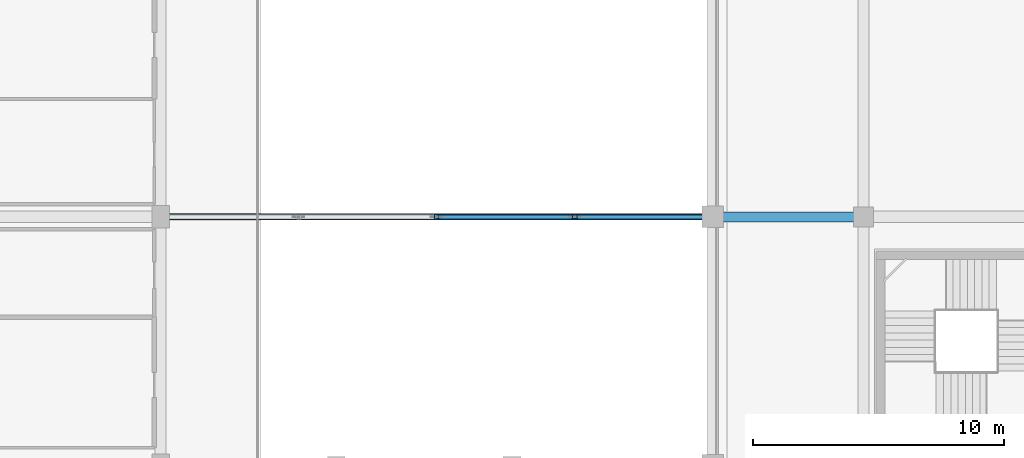
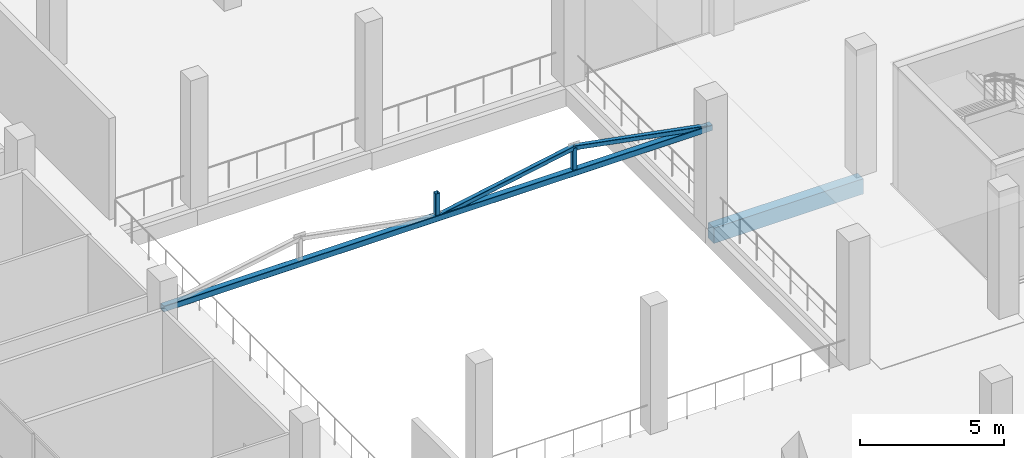
# One storey, part 8 of 74: 5 members, 1 beam.
"""IFC4 building model written with IfcOpenShell, lengths in metres."""

from ifc_helpers import new_model, si_unit, direction, frame, origin, origin_2d, place, context, subcontext, project, spatial, rectangle, hollow_rectangle, extrude, material, material_profile, profile_set, type_object, element, save


model = new_model("IFC4")

# Units and contexts
model_context = context("Model", 3, precision=1e-05, world=origin(), true_north=direction((0.0, 1.0)))
body_context = subcontext(model_context, "Body", "Model", "MODEL_VIEW")
ifc_project = project(units=[si_unit("LENGTHUNIT", "METRE"), si_unit("AREAUNIT", "SQUARE_METRE"), si_unit("VOLUMEUNIT", "CUBIC_METRE"), si_unit("PLANEANGLEUNIT", "RADIAN"), si_unit("MASSUNIT", "GRAM", prefix="KILO")], contexts=[model_context])

# Site, building, storey
site_placement = place(None, origin())
site = spatial("IfcSite", under=ifc_project, at=site_placement, CompositionType="ELEMENT")
building_placement = place(site_placement, origin())
building = spatial("IfcBuilding", under=site, at=building_placement, Name="Sillaruma Civic Art Gallery", CompositionType="ELEMENT")
storey_placement = place(building_placement, frame((0.0, 0.0, 5.43994140625)))
storey = spatial("IfcBuildingStorey", under=building, at=storey_placement, Name="L01", CompositionType="ELEMENT", Elevation=5.43994140625)

# Beam
ifc_material_1 = material(Name="Concrete H35 (35 MPa)", Category="concrete")
ifc_material_profile_1 = material_profile(ifc_material_1, rectangle(XDim=0.39990234375, YDim=0.64990234375, at=origin_2d()), Name="RCB400x650")
ifc_profile_set_1 = profile_set([ifc_material_profile_1], Name="Concrete H35 (35 MPa)")
beam_type = type_object("IfcBeamType", Name="BM-BEAM-RCB400x650", PredefinedType="BEAM", material=ifc_profile_set_1)
beam_placement = place(storey_placement, frame((92.0, 59.39990234375, -0.5849609375), z_axis=(1.0, 0.0, 0.0), x_axis=(0.0, 1.0, 0.0)))
element("IfcBeam", 1, at=beam_placement, inside=storey, type_object=beam_type, Name="Beam BM-05 (L00:7:K-L)", PredefinedType="BEAM", context=body_context, shape_type="SweptSolid", body=[
    extrude(rectangle(XDim=0.39990234375, YDim=0.64990234375, at=origin_2d()), origin(), (0.0, 0.0, 1.0), 6.0),
])

# Members
ifc_material_2 = material(Name="Structural Steel ASTM A500 Gr.C", Category="steel")
ifc_material_profile_2 = material_profile(ifc_material_2, hollow_rectangle(XDim=0.179931640625, YDim=0.179931640625, WallThickness=0.010009765625, InnerFilletRadius=0.010009765625, OuterFilletRadius=0.02001953125, at=origin_2d()), Name="HSS180x180x10")
ifc_profile_set_2 = profile_set([ifc_material_profile_2], Name="Structural Steel ASTM A500 Gr.C")
member_type_1 = type_object("IfcMemberType", Name="MEM-BRACE-HSS180x180x10", PredefinedType="BRACE", material=ifc_profile_set_2)
for number, where, z_axis, x_axis, name in (
    (2, (81.0, 59.39990234375, 3.955078125), (0.982618444272, 0.0, 0.185636723137), (0.0, 1.0, 0.0), "Warren Truss Diagonal TR-L01-1-D3"),
    (3, (86.5, 59.39990234375, 4.994140625), (0.982618444272, 0.0, -0.185636723137), (0.0, 1.0, 0.0), "Warren Truss Diagonal TR-L01-1-D4"),
):
    element("IfcMember", number, at=place(storey_placement, frame(where, z_axis=z_axis, x_axis=x_axis)), inside=storey, type_object=member_type_1, Name=name, PredefinedType="BRACE", context=body_context, shape_type="SweptSolid", body=[
        extrude(hollow_rectangle(XDim=0.179931640625, YDim=0.179931640625, WallThickness=0.010009765625, InnerFilletRadius=0.010009765625, OuterFilletRadius=0.02001953125, at=origin_2d()), origin(), (0.0, 0.0, 1.0), 5.59716796875),
    ])
ifc_material_profile_3 = material_profile(ifc_material_2, hollow_rectangle(XDim=0.25, YDim=0.25, WallThickness=0.012451171875, InnerFilletRadius=0.012451171875, OuterFilletRadius=0.02490234375, at=origin_2d()), Name="HSS250x250x12.5")
ifc_profile_set_3 = profile_set([ifc_material_profile_3], Name="Structural Steel ASTM A500 Gr.C")
member_type_2 = type_object("IfcMemberType", Name="MEM-CHORD-HSS250x250x12.5", PredefinedType="CHORD", material=ifc_profile_set_3)
member_placement = place(storey_placement, frame((70.0, 59.39990234375, 3.955078125), z_axis=(1.0, 0.0, 0.0), x_axis=(0.0, 1.0, 0.0)))
element("IfcMember", 4, at=member_placement, inside=storey, type_object=member_type_2, Name="Warren Truss Bottom Chord TR-L01-1", PredefinedType="CHORD", context=body_context, shape_type="SweptSolid", body=[
    extrude(hollow_rectangle(XDim=0.25, YDim=0.25, WallThickness=0.012451171875, InnerFilletRadius=0.012451171875, OuterFilletRadius=0.02490234375, at=origin_2d()), origin(), (0.0, 0.0, 1.0), 22.0),
])
ifc_material_profile_4 = material_profile(ifc_material_2, hollow_rectangle(XDim=0.179931640625, YDim=0.179931640625, WallThickness=0.010009765625, InnerFilletRadius=0.010009765625, OuterFilletRadius=0.02001953125, at=origin_2d()), Name="HSS180x180x10")
ifc_profile_set_4 = profile_set([ifc_material_profile_4], Name="Structural Steel ASTM A500 Gr.C")
member_type_3 = type_object("IfcMemberType", Name="MEM-POST-HSS180x180x10", PredefinedType="POST", material=ifc_profile_set_4)
for number, where, z_axis, x_axis, name in (
    (5, (81.0, 59.39990234375, 3.955078125), (0.0, 0.0, 1.0), (1.0, 0.0, 0.0), "Warren Truss Vertical Post TR-L01-1-V2"),
    (6, (86.5, 59.39990234375, 3.955078125), (0.0, 0.0, 1.0), (1.0, 0.0, 0.0), "Warren Truss Vertical Post TR-L01-1-V3"),
):
    element("IfcMember", number, at=place(storey_placement, frame(where, z_axis=z_axis, x_axis=x_axis)), inside=storey, type_object=member_type_3, Name=name, PredefinedType="POST", context=body_context, shape_type="SweptSolid", body=[
        extrude(hollow_rectangle(XDim=0.179931640625, YDim=0.179931640625, WallThickness=0.010009765625, InnerFilletRadius=0.010009765625, OuterFilletRadius=0.02001953125, at=origin_2d()), origin(), (0.0, 0.0, 1.0), 1.0390625),
    ])

save(model, "model.ifc")
